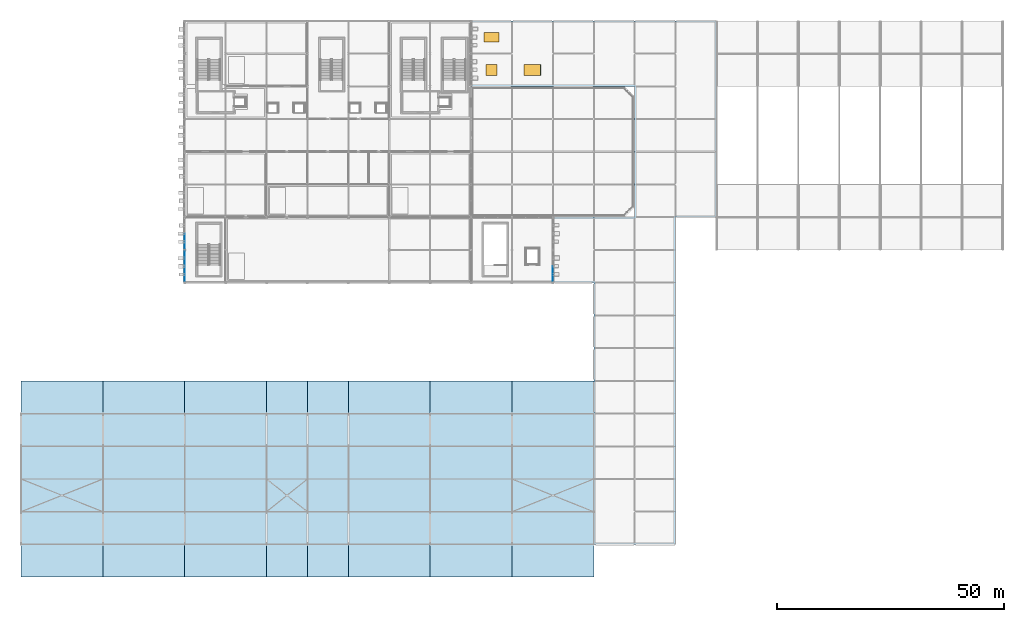
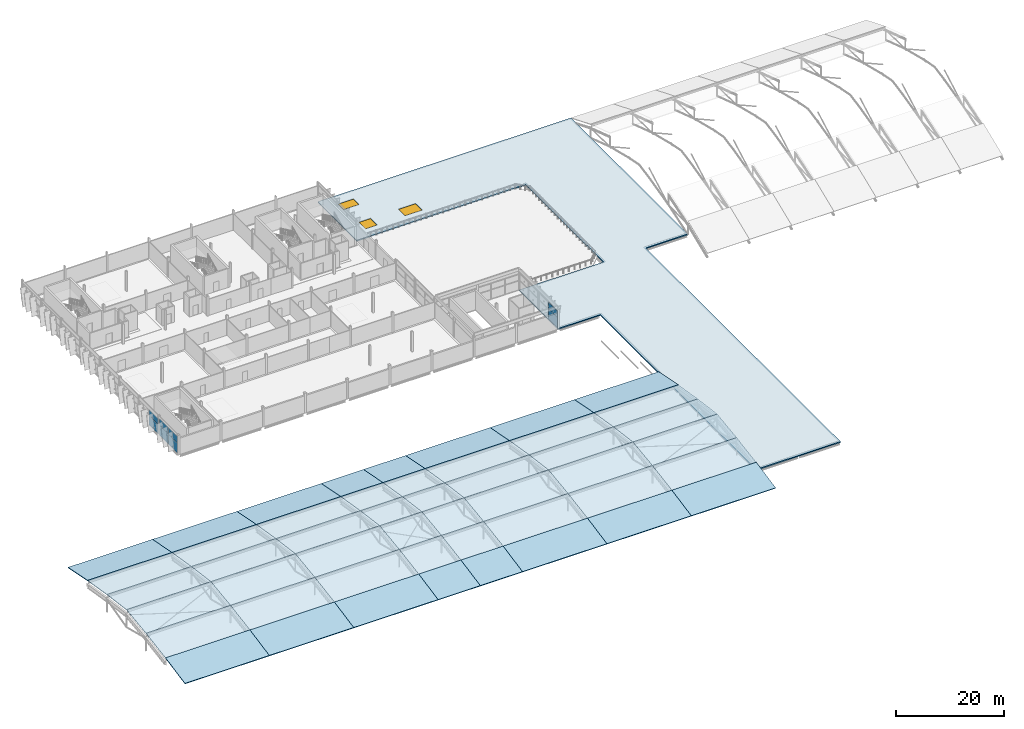
# One storey, part 54 of 78: 49 slabs, 8 plates, 3 windows, 3 openings, 3 elements without a shape of their own.
"""IFC4 building model written with IfcOpenShell, lengths in metres."""

from ifc_helpers import new_model, si_unit, direction, frame, origin, origin_2d, place, context, subcontext, project, spatial, polyline, rectangle, outline, extrude, material, layer, layer_set, type_object, element, fill, aggregate, save


model = new_model("IFC4")

# Units and contexts
model_context = context("Model", 3, precision=1e-05, world=origin(), true_north=direction((0.0, 1.0)))
body_context = subcontext(model_context, "Body", "Model", "MODEL_VIEW")
ifc_project = project(units=[si_unit("LENGTHUNIT", "METRE"), si_unit("AREAUNIT", "SQUARE_METRE"), si_unit("VOLUMEUNIT", "CUBIC_METRE"), si_unit("PLANEANGLEUNIT", "RADIAN"), si_unit("MASSUNIT", "GRAM", prefix="KILO")], contexts=[model_context])

# Site, building, storey
site_placement = place(None, origin())
site = spatial("IfcSite", under=ifc_project, at=site_placement, CompositionType="ELEMENT")
building_placement = place(site_placement, origin())
building = spatial("IfcBuilding", under=site, at=building_placement, Name="Celestram Park Convention Centre", CompositionType="ELEMENT")
storey_placement = place(building_placement, frame((0.0, 0.0, 19.800048828125)))
storey = spatial("IfcBuildingStorey", under=building, at=storey_placement, Name="L04", CompositionType="ELEMENT", Elevation=19.800048828125)

# Curtain wall, plates
ifc_material_1 = material(Name="Anodised Aluminium Alloy 6063-T6", Category="aluminium")
ifc_layer_1 = layer(ifc_material_1, 0.179931640625)
ifc_layer_set_1 = layer_set([ifc_layer_1], Name="Anodised Aluminium Alloy 6063-T6")
curtain_wall_type_1 = type_object("IfcCurtainWallType", Name="ARC-CW-683X390", PredefinedType="NOTDEFINED", material=ifc_layer_set_1)
curtain_wall_1_placement = place(storey_placement, origin())
curtain_wall_1 = element("IfcCurtainWall", 1, at=curtain_wall_1_placement, inside=storey, type_object=curtain_wall_type_1, Name="Unitised curtain wall CU-L04-228", PredefinedType="NOTDEFINED")
ifc_material_2 = material(Name="Insulated Glazing Unit 28 mm", Category="glass")
ifc_layer_2 = layer(ifc_material_2, 0.028076171875)
ifc_layer_set_2 = layer_set([ifc_layer_2], Name="Insulated Glazing Unit 28 mm")
plate_type = type_object("IfcPlateType", Name="ARC-CWP-IGU28", PredefinedType="CURTAIN_PANEL", material=ifc_layer_set_2)
plate_1_placement = place(storey_placement, frame((117.0, 109.920654296875, 0.06005859375), z_axis=(0.0, 0.0, 1.0), x_axis=(0.0, -1.0, 0.0)))
plate_1 = element("IfcPlate", 2, at=plate_1_placement, type_object=plate_type, Name="CW-68X39 panel 2.1", PredefinedType="CURTAIN_PANEL", context=body_context, shape_type="SweptSolid", body=[
    extrude(rectangle(XDim=3.3154296875, YDim=0.028076171875, at=origin_2d()), origin(), (0.0, 0.0, 1.0), 2.251953125),
])
plate_2_placement = place(storey_placement, frame((117.0, 109.920654296875, 2.3720703125), z_axis=(0.0, 0.0, 1.0), x_axis=(0.0, -1.0, 0.0)))
plate_2 = element("IfcPlate", 3, at=plate_2_placement, type_object=plate_type, Name="CW-68X39 panel 2.2", PredefinedType="CURTAIN_PANEL", context=body_context, shape_type="SweptSolid", body=[
    extrude(rectangle(XDim=3.3154296875, YDim=0.028076171875, at=origin_2d()), origin(), (0.0, 0.0, 1.0), 1.471923828125),
])
aggregate(curtain_wall_1, [plate_1, plate_2])

ifc_layer_3 = layer(ifc_material_1, 0.179931640625)
ifc_layer_set_3 = layer_set([ifc_layer_3], Name="Anodised Aluminium Alloy 6063-T6")
curtain_wall_type_2 = type_object("IfcCurtainWallType", Name="ARC-CW-682X390", PredefinedType="NOTDEFINED", material=ifc_layer_set_3)
curtain_wall_2_placement = place(storey_placement, origin())
curtain_wall_2 = element("IfcCurtainWall", 4, at=curtain_wall_2_placement, inside=storey, type_object=curtain_wall_type_2, Name="Unitised curtain wall CU-L04-229", PredefinedType="NOTDEFINED")
plate_3_placement = place(storey_placement, frame((36.0, 109.918701171875, 0.06005859375), z_axis=(0.0, 0.0, 1.0), x_axis=(0.0, 1.0, 0.0)))
plate_3 = element("IfcPlate", 5, at=plate_3_placement, type_object=plate_type, Name="CW-68X39 panel 1.1", PredefinedType="CURTAIN_PANEL", context=body_context, shape_type="SweptSolid", body=[
    extrude(rectangle(XDim=3.311279296875, YDim=0.028076171875, at=origin_2d()), origin(), (0.0, 0.0, 1.0), 2.251953125),
])
plate_4_placement = place(storey_placement, frame((36.0, 109.918701171875, 2.3720703125), z_axis=(0.0, 0.0, 1.0), x_axis=(0.0, 1.0, 0.0)))
plate_4 = element("IfcPlate", 6, at=plate_4_placement, type_object=plate_type, Name="CW-68X39 panel 1.2", PredefinedType="CURTAIN_PANEL", context=body_context, shape_type="SweptSolid", body=[
    extrude(rectangle(XDim=3.311279296875, YDim=0.028076171875, at=origin_2d()), origin(), (0.0, 0.0, 1.0), 1.471923828125),
])
plate_5_placement = place(storey_placement, frame((36.0, 113.294921875, 0.06005859375), z_axis=(0.0, 0.0, 1.0), x_axis=(0.0, 1.0, 0.0)))
plate_5 = element("IfcPlate", 7, at=plate_5_placement, type_object=plate_type, Name="CW-68X39 panel 2.1", PredefinedType="CURTAIN_PANEL", context=body_context, shape_type="SweptSolid", body=[
    extrude(rectangle(XDim=3.311279296875, YDim=0.028076171875, at=origin_2d()), origin(), (0.0, 0.0, 1.0), 2.251953125),
])
plate_6_placement = place(storey_placement, frame((36.0, 113.294921875, 2.3720703125), z_axis=(0.0, 0.0, 1.0), x_axis=(0.0, 1.0, 0.0)))
plate_6 = element("IfcPlate", 8, at=plate_6_placement, type_object=plate_type, Name="CW-68X39 panel 2.2", PredefinedType="CURTAIN_PANEL", context=body_context, shape_type="SweptSolid", body=[
    extrude(rectangle(XDim=3.311279296875, YDim=0.028076171875, at=origin_2d()), origin(), (0.0, 0.0, 1.0), 1.471923828125),
])
aggregate(curtain_wall_2, [plate_3, plate_4, plate_5, plate_6])

ifc_layer_4 = layer(ifc_material_1, 0.179931640625)
ifc_layer_set_4 = layer_set([ifc_layer_4], Name="Anodised Aluminium Alloy 6063-T6")
curtain_wall_type_3 = type_object("IfcCurtainWallType", Name="ARC-CW-683X365", PredefinedType="NOTDEFINED", material=ifc_layer_set_4)
curtain_wall_3_placement = place(storey_placement, origin())
curtain_wall_3 = element("IfcCurtainWall", 9, at=curtain_wall_3_placement, inside=storey, type_object=curtain_wall_type_3, Name="Unitised curtain wall CU-L04-230", PredefinedType="NOTDEFINED")
plate_7_placement = place(storey_placement, frame((36.0, 117.1083984375, 0.059814453125), z_axis=(0.0, 0.0, 1.0), x_axis=(0.0, 1.0, 0.0)))
plate_7 = element("IfcPlate", 10, at=plate_7_placement, type_object=plate_type, Name="CW-68X36 panel 1.1", PredefinedType="CURTAIN_PANEL", context=body_context, shape_type="SweptSolid", body=[
    extrude(rectangle(XDim=3.318115234375, YDim=0.028076171875, at=origin_2d()), origin(), (0.0, 0.0, 1.0), 2.09912109375),
])
plate_8_placement = place(storey_placement, frame((36.0, 117.1083984375, 2.21923828125), z_axis=(0.0, 0.0, 1.0), x_axis=(0.0, 1.0, 0.0)))
plate_8 = element("IfcPlate", 11, at=plate_8_placement, type_object=plate_type, Name="CW-68X36 panel 1.2", PredefinedType="CURTAIN_PANEL", context=body_context, shape_type="SweptSolid", body=[
    extrude(rectangle(XDim=3.318115234375, YDim=0.028076171875, at=origin_2d()), origin(), (0.0, 0.0, 1.0), 1.368896484375),
])
aggregate(curtain_wall_3, [plate_7, plate_8])

# Slabs
ifc_material_3 = material(Name="Concrete C35/45", Category="concrete")
ifc_layer_5 = layer(ifc_material_3, 0.159912109375)
ifc_layer_set_5 = layer_set([ifc_layer_5], Name="Concrete C35/45")
slab_type_1 = type_object("IfcSlabType", Name="STR-SLB-ARCH160", PredefinedType="ROOF", material=ifc_layer_set_5)
slab_1_placement = place(storey_placement, frame((0.0, 43.199951171875, 0.23486328125), z_axis=(0.0, -0.19329384228, 0.981140912681), x_axis=(1.0, 0.0, 0.0)))
element("IfcSlab", 12, at=slab_1_placement, inside=storey, type_object=slab_type_1, Name="V1 arched roof deck facet 1.4", PredefinedType="ROOF", context=body_context, shape_type="SweptSolid", body=[
    extrude(outline(polyline([(0.0, 0.0), (18.0, 0.0), (18.0, 7.33834567371194), (0.0, 7.33834567371194), (0.0, 0.0)])), origin(), (0.0, 0.0, -1.0), 0.159912109375),
])
slab_2_placement = place(storey_placement, frame((0.0, 50.39990234375, 1.6533203125), z_axis=(0.0, -0.162825488963, 0.986654884012), x_axis=(1.0, 0.0, 0.0)))
element("IfcSlab", 13, at=slab_2_placement, inside=storey, type_object=slab_type_1, Name="V1 arched roof deck facet 1.5", PredefinedType="ROOF", context=body_context, shape_type="SweptSolid", body=[
    extrude(outline(polyline([(0.0, 0.0), (18.0, 0.0), (18.0, 7.297582396009099), (0.0, 7.297582396009099), (0.0, 0.0)])), origin(), (0.0, 0.0, -1.0), 0.159912109375),
])
slab_3_placement = place(storey_placement, frame((0.0, 57.60009765625, 2.841552734375), z_axis=(0.0, -0.131954409552, 0.991255786263), x_axis=(1.0, 0.0, 0.0)))
element("IfcSlab", 14, at=slab_3_placement, inside=storey, type_object=slab_type_1, Name="V1 arched roof deck facet 1.6", PredefinedType="ROOF", context=body_context, shape_type="SweptSolid", body=[
    extrude(outline(polyline([(0.0, 0.0), (18.0, 0.0), (18.0, 7.25829227779338), (0.0, 7.25829227779338), (0.0, 0.0)])), origin(), (0.0, 0.0, -1.0), 0.159912109375),
])
slab_4_placement = place(storey_placement, frame((0.0, 64.804931640625, 3.79931640625), z_axis=(0.0, 0.131950010077, 0.991256371904), x_axis=(1.0, 0.0, 0.0)))
element("IfcSlab", 15, at=slab_4_placement, inside=storey, type_object=slab_type_1, Name="V1 arched roof deck facet 1.7", PredefinedType="ROOF", context=body_context, shape_type="SweptSolid", body=[
    extrude(outline(polyline([(0.0, 0.0), (18.0, 0.0), (18.0, 7.258534283672065), (0.0, 7.258534283672065), (0.0, 0.0)])), origin(), (0.0, 0.0, -1.0), 0.159912109375),
])
slab_5_placement = place(storey_placement, frame((0.0, 72.0, 2.841552734375), z_axis=(0.0, 0.162830863769, 0.986653997004), x_axis=(1.0, 0.0, 0.0)))
element("IfcSlab", 16, at=slab_5_placement, inside=storey, type_object=slab_type_1, Name="V1 arched roof deck facet 1.8", PredefinedType="ROOF", context=body_context, shape_type="SweptSolid", body=[
    extrude(outline(polyline([(0.0, 0.0), (18.0, 0.0), (18.0, 7.297341513577334), (0.0, 7.297341513577334), (0.0, 0.0)])), origin(), (0.0, 0.0, -1.0), 0.159912109375),
])
for number, where, z_axis, x_axis, name in (
    (17, (0.0, 79.199951171875, 1.6533203125), (0.0, 0.19329384228, 0.981140912681), (1.0, 0.0, 0.0), "V1 arched roof deck facet 1.9"),
    (18, (18.0, 43.199951171875, 0.23486328125), (0.0, -0.19329384228, 0.981140912681), (1.0, 0.0, 0.0), "V1 arched roof deck facet 2.4"),
):
    element("IfcSlab", number, at=place(storey_placement, frame(where, z_axis=z_axis, x_axis=x_axis)), inside=storey, type_object=slab_type_1, Name=name, PredefinedType="ROOF", context=body_context, shape_type="SweptSolid", body=[
        extrude(outline(polyline([(0.0, 0.0), (18.0, 0.0), (18.0, 7.33834567371194), (0.0, 7.33834567371194), (0.0, 0.0)])), origin(), (0.0, 0.0, -1.0), 0.159912109375),
    ])
slab_6_placement = place(storey_placement, frame((18.0, 50.39990234375, 1.6533203125), z_axis=(0.0, -0.162825488963, 0.986654884012), x_axis=(1.0, 0.0, 0.0)))
element("IfcSlab", 19, at=slab_6_placement, inside=storey, type_object=slab_type_1, Name="V1 arched roof deck facet 2.5", PredefinedType="ROOF", context=body_context, shape_type="SweptSolid", body=[
    extrude(outline(polyline([(0.0, 0.0), (18.0, 0.0), (18.0, 7.297582396009099), (0.0, 7.297582396009099), (0.0, 0.0)])), origin(), (0.0, 0.0, -1.0), 0.159912109375),
])
slab_7_placement = place(storey_placement, frame((18.0, 57.60009765625, 2.841552734375), z_axis=(0.0, -0.131954409552, 0.991255786263), x_axis=(1.0, 0.0, 0.0)))
element("IfcSlab", 20, at=slab_7_placement, inside=storey, type_object=slab_type_1, Name="V1 arched roof deck facet 2.6", PredefinedType="ROOF", context=body_context, shape_type="SweptSolid", body=[
    extrude(outline(polyline([(0.0, 0.0), (18.0, 0.0), (18.0, 7.25829227779338), (0.0, 7.25829227779338), (0.0, 0.0)])), origin(), (0.0, 0.0, -1.0), 0.159912109375),
])
slab_8_placement = place(storey_placement, frame((18.0, 64.804931640625, 3.79931640625), z_axis=(0.0, 0.131950010077, 0.991256371904), x_axis=(1.0, 0.0, 0.0)))
element("IfcSlab", 21, at=slab_8_placement, inside=storey, type_object=slab_type_1, Name="V1 arched roof deck facet 2.7", PredefinedType="ROOF", context=body_context, shape_type="SweptSolid", body=[
    extrude(outline(polyline([(0.0, 0.0), (18.0, 0.0), (18.0, 7.258534283672065), (0.0, 7.258534283672065), (0.0, 0.0)])), origin(), (0.0, 0.0, -1.0), 0.159912109375),
])
slab_9_placement = place(storey_placement, frame((18.0, 72.0, 2.841552734375), z_axis=(0.0, 0.162830863769, 0.986653997004), x_axis=(1.0, 0.0, 0.0)))
element("IfcSlab", 22, at=slab_9_placement, inside=storey, type_object=slab_type_1, Name="V1 arched roof deck facet 2.8", PredefinedType="ROOF", context=body_context, shape_type="SweptSolid", body=[
    extrude(outline(polyline([(0.0, 0.0), (18.0, 0.0), (18.0, 7.297341513577334), (0.0, 7.297341513577334), (0.0, 0.0)])), origin(), (0.0, 0.0, -1.0), 0.159912109375),
])
for number, where, z_axis, x_axis, name in (
    (23, (18.0, 79.199951171875, 1.6533203125), (0.0, 0.19329384228, 0.981140912681), (1.0, 0.0, 0.0), "V1 arched roof deck facet 2.9"),
    (24, (36.0, 43.199951171875, 0.23486328125), (0.0, -0.19329384228, 0.981140912681), (1.0, 0.0, 0.0), "V1 arched roof deck facet 3.4"),
):
    element("IfcSlab", number, at=place(storey_placement, frame(where, z_axis=z_axis, x_axis=x_axis)), inside=storey, type_object=slab_type_1, Name=name, PredefinedType="ROOF", context=body_context, shape_type="SweptSolid", body=[
        extrude(outline(polyline([(0.0, 0.0), (18.0, 0.0), (18.0, 7.33834567371194), (0.0, 7.33834567371194), (0.0, 0.0)])), origin(), (0.0, 0.0, -1.0), 0.159912109375),
    ])
slab_10_placement = place(storey_placement, frame((36.0, 50.39990234375, 1.6533203125), z_axis=(0.0, -0.162825488963, 0.986654884012), x_axis=(1.0, 0.0, 0.0)))
element("IfcSlab", 25, at=slab_10_placement, inside=storey, type_object=slab_type_1, Name="V1 arched roof deck facet 3.5", PredefinedType="ROOF", context=body_context, shape_type="SweptSolid", body=[
    extrude(outline(polyline([(0.0, 0.0), (18.0, 0.0), (18.0, 7.297582396009099), (0.0, 7.297582396009099), (0.0, 0.0)])), origin(), (0.0, 0.0, -1.0), 0.159912109375),
])
slab_11_placement = place(storey_placement, frame((36.0, 57.60009765625, 2.841552734375), z_axis=(0.0, -0.131954409552, 0.991255786263), x_axis=(1.0, 0.0, 0.0)))
element("IfcSlab", 26, at=slab_11_placement, inside=storey, type_object=slab_type_1, Name="V1 arched roof deck facet 3.6", PredefinedType="ROOF", context=body_context, shape_type="SweptSolid", body=[
    extrude(outline(polyline([(0.0, 0.0), (18.0, 0.0), (18.0, 7.25829227779338), (0.0, 7.25829227779338), (0.0, 0.0)])), origin(), (0.0, 0.0, -1.0), 0.159912109375),
])
slab_12_placement = place(storey_placement, frame((36.0, 64.804931640625, 3.79931640625), z_axis=(0.0, 0.131950010077, 0.991256371904), x_axis=(1.0, 0.0, 0.0)))
element("IfcSlab", 27, at=slab_12_placement, inside=storey, type_object=slab_type_1, Name="V1 arched roof deck facet 3.7", PredefinedType="ROOF", context=body_context, shape_type="SweptSolid", body=[
    extrude(outline(polyline([(0.0, 0.0), (18.0, 0.0), (18.0, 7.258534283672065), (0.0, 7.258534283672065), (0.0, 0.0)])), origin(), (0.0, 0.0, -1.0), 0.159912109375),
])
slab_13_placement = place(storey_placement, frame((36.0, 72.0, 2.841552734375), z_axis=(0.0, 0.162830863769, 0.986653997004), x_axis=(1.0, 0.0, 0.0)))
element("IfcSlab", 28, at=slab_13_placement, inside=storey, type_object=slab_type_1, Name="V1 arched roof deck facet 3.8", PredefinedType="ROOF", context=body_context, shape_type="SweptSolid", body=[
    extrude(outline(polyline([(0.0, 0.0), (18.0, 0.0), (18.0, 7.297341513577334), (0.0, 7.297341513577334), (0.0, 0.0)])), origin(), (0.0, 0.0, -1.0), 0.159912109375),
])
slab_14_placement = place(storey_placement, frame((36.0, 79.199951171875, 1.6533203125), z_axis=(0.0, 0.19329384228, 0.981140912681), x_axis=(1.0, 0.0, 0.0)))
element("IfcSlab", 29, at=slab_14_placement, inside=storey, type_object=slab_type_1, Name="V1 arched roof deck facet 3.9", PredefinedType="ROOF", context=body_context, shape_type="SweptSolid", body=[
    extrude(outline(polyline([(0.0, 0.0), (18.0, 0.0), (18.0, 7.33834567371194), (0.0, 7.33834567371194), (0.0, 0.0)])), origin(), (0.0, 0.0, -1.0), 0.159912109375),
])
slab_15_placement = place(storey_placement, frame((54.0, 43.199951171875, 0.23486328125), z_axis=(0.0, -0.19329384228, 0.981140912681), x_axis=(1.0, 0.0, 0.0)))
element("IfcSlab", 30, at=slab_15_placement, inside=storey, type_object=slab_type_1, Name="V1 arched roof deck facet 4.4", PredefinedType="ROOF", context=body_context, shape_type="SweptSolid", body=[
    extrude(outline(polyline([(0.0, 0.0), (9.0, 0.0), (9.0, 7.33834567371194), (0.0, 7.33834567371194), (0.0, 0.0)])), origin(), (0.0, 0.0, -1.0), 0.159912109375),
])
slab_16_placement = place(storey_placement, frame((54.0, 50.39990234375, 1.6533203125), z_axis=(0.0, -0.162825488963, 0.986654884012), x_axis=(1.0, 0.0, 0.0)))
element("IfcSlab", 31, at=slab_16_placement, inside=storey, type_object=slab_type_1, Name="V1 arched roof deck facet 4.5", PredefinedType="ROOF", context=body_context, shape_type="SweptSolid", body=[
    extrude(outline(polyline([(0.0, 0.0), (9.0, 0.0), (9.0, 7.297582396009099), (0.0, 7.297582396009099), (0.0, 0.0)])), origin(), (0.0, 0.0, -1.0), 0.159912109375),
])
slab_17_placement = place(storey_placement, frame((54.0, 57.60009765625, 2.841552734375), z_axis=(0.0, -0.131954409552, 0.991255786263), x_axis=(1.0, 0.0, 0.0)))
element("IfcSlab", 32, at=slab_17_placement, inside=storey, type_object=slab_type_1, Name="V1 arched roof deck facet 4.6", PredefinedType="ROOF", context=body_context, shape_type="SweptSolid", body=[
    extrude(outline(polyline([(0.0, 0.0), (9.0, 0.0), (9.0, 7.25829227779338), (0.0, 7.25829227779338), (0.0, 0.0)])), origin(), (0.0, 0.0, -1.0), 0.159912109375),
])
slab_18_placement = place(storey_placement, frame((54.0, 64.804931640625, 3.79931640625), z_axis=(0.0, 0.131950010077, 0.991256371904), x_axis=(1.0, 0.0, 0.0)))
element("IfcSlab", 33, at=slab_18_placement, inside=storey, type_object=slab_type_1, Name="V1 arched roof deck facet 4.7", PredefinedType="ROOF", context=body_context, shape_type="SweptSolid", body=[
    extrude(outline(polyline([(0.0, 0.0), (9.0, 0.0), (9.0, 7.258534283672065), (0.0, 7.258534283672065), (0.0, 0.0)])), origin(), (0.0, 0.0, -1.0), 0.159912109375),
])
slab_19_placement = place(storey_placement, frame((54.0, 72.0, 2.841552734375), z_axis=(0.0, 0.162830863769, 0.986653997004), x_axis=(1.0, 0.0, 0.0)))
element("IfcSlab", 34, at=slab_19_placement, inside=storey, type_object=slab_type_1, Name="V1 arched roof deck facet 4.8", PredefinedType="ROOF", context=body_context, shape_type="SweptSolid", body=[
    extrude(outline(polyline([(0.0, 0.0), (9.0, 0.0), (9.0, 7.297341513577334), (0.0, 7.297341513577334), (0.0, 0.0)])), origin(), (0.0, 0.0, -1.0), 0.159912109375),
])
for number, where, z_axis, x_axis, name in (
    (35, (54.0, 79.199951171875, 1.6533203125), (0.0, 0.19329384228, 0.981140912681), (1.0, 0.0, 0.0), "V1 arched roof deck facet 4.9"),
    (36, (63.0, 43.199951171875, 0.23486328125), (0.0, -0.19329384228, 0.981140912681), (1.0, 0.0, 0.0), "V1 arched roof deck facet 5.4"),
):
    element("IfcSlab", number, at=place(storey_placement, frame(where, z_axis=z_axis, x_axis=x_axis)), inside=storey, type_object=slab_type_1, Name=name, PredefinedType="ROOF", context=body_context, shape_type="SweptSolid", body=[
        extrude(outline(polyline([(0.0, 0.0), (9.0, 0.0), (9.0, 7.33834567371194), (0.0, 7.33834567371194), (0.0, 0.0)])), origin(), (0.0, 0.0, -1.0), 0.159912109375),
    ])
slab_20_placement = place(storey_placement, frame((63.0, 50.39990234375, 1.6533203125), z_axis=(0.0, -0.162825488963, 0.986654884012), x_axis=(1.0, 0.0, 0.0)))
element("IfcSlab", 37, at=slab_20_placement, inside=storey, type_object=slab_type_1, Name="V1 arched roof deck facet 5.5", PredefinedType="ROOF", context=body_context, shape_type="SweptSolid", body=[
    extrude(outline(polyline([(0.0, 0.0), (9.0, 0.0), (9.0, 7.297582396009099), (0.0, 7.297582396009099), (0.0, 0.0)])), origin(), (0.0, 0.0, -1.0), 0.159912109375),
])
slab_21_placement = place(storey_placement, frame((63.0, 57.60009765625, 2.841552734375), z_axis=(0.0, -0.131954409552, 0.991255786263), x_axis=(1.0, 0.0, 0.0)))
element("IfcSlab", 38, at=slab_21_placement, inside=storey, type_object=slab_type_1, Name="V1 arched roof deck facet 5.6", PredefinedType="ROOF", context=body_context, shape_type="SweptSolid", body=[
    extrude(outline(polyline([(0.0, 0.0), (9.0, 0.0), (9.0, 7.25829227779338), (0.0, 7.25829227779338), (0.0, 0.0)])), origin(), (0.0, 0.0, -1.0), 0.159912109375),
])
slab_22_placement = place(storey_placement, frame((63.0, 64.804931640625, 3.79931640625), z_axis=(0.0, 0.131950010077, 0.991256371904), x_axis=(1.0, 0.0, 0.0)))
element("IfcSlab", 39, at=slab_22_placement, inside=storey, type_object=slab_type_1, Name="V1 arched roof deck facet 5.7", PredefinedType="ROOF", context=body_context, shape_type="SweptSolid", body=[
    extrude(outline(polyline([(0.0, 0.0), (9.0, 0.0), (9.0, 7.258534283672065), (0.0, 7.258534283672065), (0.0, 0.0)])), origin(), (0.0, 0.0, -1.0), 0.159912109375),
])
slab_23_placement = place(storey_placement, frame((63.0, 72.0, 2.841552734375), z_axis=(0.0, 0.162830863769, 0.986653997004), x_axis=(1.0, 0.0, 0.0)))
element("IfcSlab", 40, at=slab_23_placement, inside=storey, type_object=slab_type_1, Name="V1 arched roof deck facet 5.8", PredefinedType="ROOF", context=body_context, shape_type="SweptSolid", body=[
    extrude(outline(polyline([(0.0, 0.0), (9.0, 0.0), (9.0, 7.297341513577334), (0.0, 7.297341513577334), (0.0, 0.0)])), origin(), (0.0, 0.0, -1.0), 0.159912109375),
])
slab_24_placement = place(storey_placement, frame((63.0, 79.199951171875, 1.6533203125), z_axis=(0.0, 0.19329384228, 0.981140912681), x_axis=(1.0, 0.0, 0.0)))
element("IfcSlab", 41, at=slab_24_placement, inside=storey, type_object=slab_type_1, Name="V1 arched roof deck facet 5.9", PredefinedType="ROOF", context=body_context, shape_type="SweptSolid", body=[
    extrude(outline(polyline([(0.0, 0.0), (9.0, 0.0), (9.0, 7.33834567371194), (0.0, 7.33834567371194), (0.0, 0.0)])), origin(), (0.0, 0.0, -1.0), 0.159912109375),
])
slab_25_placement = place(storey_placement, frame((72.0, 43.199951171875, 0.23486328125), z_axis=(0.0, -0.19329384228, 0.981140912681), x_axis=(1.0, 0.0, 0.0)))
element("IfcSlab", 42, at=slab_25_placement, inside=storey, type_object=slab_type_1, Name="V1 arched roof deck facet 6.4", PredefinedType="ROOF", context=body_context, shape_type="SweptSolid", body=[
    extrude(outline(polyline([(0.0, 0.0), (18.0, 0.0), (18.0, 7.33834567371194), (0.0, 7.33834567371194), (0.0, 0.0)])), origin(), (0.0, 0.0, -1.0), 0.159912109375),
])
slab_26_placement = place(storey_placement, frame((72.0, 50.39990234375, 1.6533203125), z_axis=(0.0, -0.162825488963, 0.986654884012), x_axis=(1.0, 0.0, 0.0)))
element("IfcSlab", 43, at=slab_26_placement, inside=storey, type_object=slab_type_1, Name="V1 arched roof deck facet 6.5", PredefinedType="ROOF", context=body_context, shape_type="SweptSolid", body=[
    extrude(outline(polyline([(0.0, 0.0), (18.0, 0.0), (18.0, 7.297582396009099), (0.0, 7.297582396009099), (0.0, 0.0)])), origin(), (0.0, 0.0, -1.0), 0.159912109375),
])
slab_27_placement = place(storey_placement, frame((72.0, 57.60009765625, 2.841552734375), z_axis=(0.0, -0.131954409552, 0.991255786263), x_axis=(1.0, 0.0, 0.0)))
element("IfcSlab", 44, at=slab_27_placement, inside=storey, type_object=slab_type_1, Name="V1 arched roof deck facet 6.6", PredefinedType="ROOF", context=body_context, shape_type="SweptSolid", body=[
    extrude(outline(polyline([(0.0, 0.0), (18.0, 0.0), (18.0, 7.25829227779338), (0.0, 7.25829227779338), (0.0, 0.0)])), origin(), (0.0, 0.0, -1.0), 0.159912109375),
])
slab_28_placement = place(storey_placement, frame((72.0, 64.804931640625, 3.79931640625), z_axis=(0.0, 0.131950010077, 0.991256371904), x_axis=(1.0, 0.0, 0.0)))
element("IfcSlab", 45, at=slab_28_placement, inside=storey, type_object=slab_type_1, Name="V1 arched roof deck facet 6.7", PredefinedType="ROOF", context=body_context, shape_type="SweptSolid", body=[
    extrude(outline(polyline([(0.0, 0.0), (18.0, 0.0), (18.0, 7.258534283672065), (0.0, 7.258534283672065), (0.0, 0.0)])), origin(), (0.0, 0.0, -1.0), 0.159912109375),
])
slab_29_placement = place(storey_placement, frame((72.0, 72.0, 2.841552734375), z_axis=(0.0, 0.162830863769, 0.986653997004), x_axis=(1.0, 0.0, 0.0)))
element("IfcSlab", 46, at=slab_29_placement, inside=storey, type_object=slab_type_1, Name="V1 arched roof deck facet 6.8", PredefinedType="ROOF", context=body_context, shape_type="SweptSolid", body=[
    extrude(outline(polyline([(0.0, 0.0), (18.0, 0.0), (18.0, 7.297341513577334), (0.0, 7.297341513577334), (0.0, 0.0)])), origin(), (0.0, 0.0, -1.0), 0.159912109375),
])
for number, where, z_axis, x_axis, name in (
    (47, (72.0, 79.199951171875, 1.6533203125), (0.0, 0.19329384228, 0.981140912681), (1.0, 0.0, 0.0), "V1 arched roof deck facet 6.9"),
    (48, (90.0, 43.199951171875, 0.23486328125), (0.0, -0.19329384228, 0.981140912681), (1.0, 0.0, 0.0), "V1 arched roof deck facet 7.4"),
):
    element("IfcSlab", number, at=place(storey_placement, frame(where, z_axis=z_axis, x_axis=x_axis)), inside=storey, type_object=slab_type_1, Name=name, PredefinedType="ROOF", context=body_context, shape_type="SweptSolid", body=[
        extrude(outline(polyline([(0.0, 0.0), (18.0, 0.0), (18.0, 7.33834567371194), (0.0, 7.33834567371194), (0.0, 0.0)])), origin(), (0.0, 0.0, -1.0), 0.159912109375),
    ])
slab_30_placement = place(storey_placement, frame((90.0, 50.39990234375, 1.6533203125), z_axis=(0.0, -0.162825488963, 0.986654884012), x_axis=(1.0, 0.0, 0.0)))
element("IfcSlab", 49, at=slab_30_placement, inside=storey, type_object=slab_type_1, Name="V1 arched roof deck facet 7.5", PredefinedType="ROOF", context=body_context, shape_type="SweptSolid", body=[
    extrude(outline(polyline([(0.0, 0.0), (18.0, 0.0), (18.0, 7.297582396009099), (0.0, 7.297582396009099), (0.0, 0.0)])), origin(), (0.0, 0.0, -1.0), 0.159912109375),
])
slab_31_placement = place(storey_placement, frame((90.0, 57.60009765625, 2.841552734375), z_axis=(0.0, -0.131954409552, 0.991255786263), x_axis=(1.0, 0.0, 0.0)))
element("IfcSlab", 50, at=slab_31_placement, inside=storey, type_object=slab_type_1, Name="V1 arched roof deck facet 7.6", PredefinedType="ROOF", context=body_context, shape_type="SweptSolid", body=[
    extrude(outline(polyline([(0.0, 0.0), (18.0, 0.0), (18.0, 7.25829227779338), (0.0, 7.25829227779338), (0.0, 0.0)])), origin(), (0.0, 0.0, -1.0), 0.159912109375),
])
slab_32_placement = place(storey_placement, frame((90.0, 64.804931640625, 3.79931640625), z_axis=(0.0, 0.131950010077, 0.991256371904), x_axis=(1.0, 0.0, 0.0)))
element("IfcSlab", 51, at=slab_32_placement, inside=storey, type_object=slab_type_1, Name="V1 arched roof deck facet 7.7", PredefinedType="ROOF", context=body_context, shape_type="SweptSolid", body=[
    extrude(outline(polyline([(0.0, 0.0), (18.0, 0.0), (18.0, 7.258534283672065), (0.0, 7.258534283672065), (0.0, 0.0)])), origin(), (0.0, 0.0, -1.0), 0.159912109375),
])
slab_33_placement = place(storey_placement, frame((90.0, 72.0, 2.841552734375), z_axis=(0.0, 0.162830863769, 0.986653997004), x_axis=(1.0, 0.0, 0.0)))
element("IfcSlab", 52, at=slab_33_placement, inside=storey, type_object=slab_type_1, Name="V1 arched roof deck facet 7.8", PredefinedType="ROOF", context=body_context, shape_type="SweptSolid", body=[
    extrude(outline(polyline([(0.0, 0.0), (18.0, 0.0), (18.0, 7.297341513577334), (0.0, 7.297341513577334), (0.0, 0.0)])), origin(), (0.0, 0.0, -1.0), 0.159912109375),
])
for number, where, z_axis, x_axis, name in (
    (53, (90.0, 79.199951171875, 1.6533203125), (0.0, 0.19329384228, 0.981140912681), (1.0, 0.0, 0.0), "V1 arched roof deck facet 7.9"),
    (54, (108.0, 43.199951171875, 0.23486328125), (0.0, -0.19329384228, 0.981140912681), (1.0, 0.0, 0.0), "V1 arched roof deck facet 8.4"),
):
    element("IfcSlab", number, at=place(storey_placement, frame(where, z_axis=z_axis, x_axis=x_axis)), inside=storey, type_object=slab_type_1, Name=name, PredefinedType="ROOF", context=body_context, shape_type="SweptSolid", body=[
        extrude(outline(polyline([(0.0, 0.0), (18.0, 0.0), (18.0, 7.33834567371194), (0.0, 7.33834567371194), (0.0, 0.0)])), origin(), (0.0, 0.0, -1.0), 0.159912109375),
    ])
slab_34_placement = place(storey_placement, frame((108.0, 50.39990234375, 1.6533203125), z_axis=(0.0, -0.162825488963, 0.986654884012), x_axis=(1.0, 0.0, 0.0)))
element("IfcSlab", 55, at=slab_34_placement, inside=storey, type_object=slab_type_1, Name="V1 arched roof deck facet 8.5", PredefinedType="ROOF", context=body_context, shape_type="SweptSolid", body=[
    extrude(outline(polyline([(0.0, 0.0), (18.0, 0.0), (18.0, 7.297582396009099), (0.0, 7.297582396009099), (0.0, 0.0)])), origin(), (0.0, 0.0, -1.0), 0.159912109375),
])
slab_35_placement = place(storey_placement, frame((108.0, 57.60009765625, 2.841552734375), z_axis=(0.0, -0.131954409552, 0.991255786263), x_axis=(1.0, 0.0, 0.0)))
element("IfcSlab", 56, at=slab_35_placement, inside=storey, type_object=slab_type_1, Name="V1 arched roof deck facet 8.6", PredefinedType="ROOF", context=body_context, shape_type="SweptSolid", body=[
    extrude(outline(polyline([(0.0, 0.0), (18.0, 0.0), (18.0, 7.25829227779338), (0.0, 7.25829227779338), (0.0, 0.0)])), origin(), (0.0, 0.0, -1.0), 0.159912109375),
])
slab_36_placement = place(storey_placement, frame((108.0, 64.804931640625, 3.79931640625), z_axis=(0.0, 0.131950010077, 0.991256371904), x_axis=(1.0, 0.0, 0.0)))
element("IfcSlab", 57, at=slab_36_placement, inside=storey, type_object=slab_type_1, Name="V1 arched roof deck facet 8.7", PredefinedType="ROOF", context=body_context, shape_type="SweptSolid", body=[
    extrude(outline(polyline([(0.0, 0.0), (18.0, 0.0), (18.0, 7.258534283672065), (0.0, 7.258534283672065), (0.0, 0.0)])), origin(), (0.0, 0.0, -1.0), 0.159912109375),
])
slab_37_placement = place(storey_placement, frame((108.0, 72.0, 2.841552734375), z_axis=(0.0, 0.162830863769, 0.986653997004), x_axis=(1.0, 0.0, 0.0)))
element("IfcSlab", 58, at=slab_37_placement, inside=storey, type_object=slab_type_1, Name="V1 arched roof deck facet 8.8", PredefinedType="ROOF", context=body_context, shape_type="SweptSolid", body=[
    extrude(outline(polyline([(0.0, 0.0), (18.0, 0.0), (18.0, 7.297341513577334), (0.0, 7.297341513577334), (0.0, 0.0)])), origin(), (0.0, 0.0, -1.0), 0.159912109375),
])
slab_38_placement = place(storey_placement, frame((108.0, 79.199951171875, 1.6533203125), z_axis=(0.0, 0.19329384228, 0.981140912681), x_axis=(1.0, 0.0, 0.0)))
element("IfcSlab", 59, at=slab_38_placement, inside=storey, type_object=slab_type_1, Name="V1 arched roof deck facet 8.9", PredefinedType="ROOF", context=body_context, shape_type="SweptSolid", body=[
    extrude(outline(polyline([(0.0, 0.0), (18.0, 0.0), (18.0, 7.33834567371194), (0.0, 7.33834567371194), (0.0, 0.0)])), origin(), (0.0, 0.0, -1.0), 0.159912109375),
])

# Slab, openings, windows
ifc_layer_6 = layer(ifc_material_3, 0.239990234375)
ifc_layer_set_6 = layer_set([ifc_layer_6], Name="Concrete C35/45")
slab_type_2 = type_object("IfcSlabType", Name="STR-SLB-ROOF240", PredefinedType="ROOF", material=ifc_layer_set_6)
slab_39_placement = place(storey_placement, frame((0.0, 0.0, -0.239990234375)))
slab_39 = element("IfcSlab", 60, at=slab_39_placement, inside=storey, type_object=slab_type_2, Name="Insulated flat roof deck SL-L04-RF041", PredefinedType="ROOF", context=body_context, shape_type="SweptSolid", body=[
    extrude(outline(polyline([(126.0, 108.0), (117.0, 108.0), (117.0, 122.39990234375), (135.0, 122.39990234375), (135.0, 151.199951171875), (99.0, 151.199951171875), (99.0, 165.60009765625), (153.0, 165.60009765625), (153.0, 122.39990234375), (144.0, 122.39990234375), (144.0, 50.39990234375), (126.0, 50.39990234375), (126.0, 108.0)])), origin(), (0.0, 0.0, 1.0), 0.239990234375),
])
opening_1_placement = place(slab_39_placement, frame((103.5, 154.800048828125, -0.010009765625)))
opening_1 = element("IfcOpeningElement", 61, at=opening_1_placement, cuts=slab_39, Name="Opening SK-03", PredefinedType="OPENING", context=body_context, shape_type="SweptSolid", body=[
    extrude(rectangle(XDim=2.39990234375, YDim=2.39990234375, at=origin_2d()), origin(), (0.0, 0.0, 1.0), 0.260009765625),
])
opening_2_placement = place(slab_39_placement, frame((103.5, 162.0, -0.010009765625)))
opening_2 = element("IfcOpeningElement", 62, at=opening_2_placement, cuts=slab_39, Name="Opening SK-04", PredefinedType="OPENING", context=body_context, shape_type="SweptSolid", body=[
    extrude(rectangle(XDim=3.199951171875, YDim=2.0, at=origin_2d()), origin(), (0.0, 0.0, 1.0), 0.260009765625),
])
opening_3_placement = place(slab_39_placement, frame((112.5, 154.800048828125, -0.010009765625)))
opening_3 = element("IfcOpeningElement", 63, at=opening_3_placement, cuts=slab_39, Name="Opening SK-01", PredefinedType="OPENING", context=body_context, shape_type="SweptSolid", body=[
    extrude(rectangle(XDim=3.60009765625, YDim=2.39990234375, at=origin_2d()), origin(), (0.0, 0.0, 1.0), 0.260009765625),
])
ifc_material_4 = material(Name="Thermally Broken Aluminium & Triple Glazing", Category="aluminium")
window_type_1 = type_object("IfcWindowType", Name="ARC-SK-240X240", PartitioningType="SINGLE_PANEL", PredefinedType="SKYLIGHT", material=ifc_material_4)
window_1_placement = place(opening_1_placement, frame((0.0, 0.0, 0.199951171875)))
window_1 = element("IfcWindow", 64, at=window_1_placement, inside=storey, type_object=window_type_1, Name="Insulated roof skylight SK-L04-07", OverallHeight=2.39990234375, OverallWidth=2.39990234375, PartitioningType="SINGLE_PANEL", PredefinedType="SKYLIGHT", context=body_context, shape_type="SweptSolid", body=[
    extrude(rectangle(XDim=2.39990234375, YDim=2.39990234375, at=origin_2d()), origin(), (0.0, 0.0, 1.0), 0.050048828125),
])
fill(opening_1, window_1)
window_type_2 = type_object("IfcWindowType", Name="ARC-SK-320X200", PartitioningType="SINGLE_PANEL", PredefinedType="SKYLIGHT", material=ifc_material_4)
window_2_placement = place(opening_2_placement, frame((0.0, 0.0, 0.199951171875)))
window_2 = element("IfcWindow", 65, at=window_2_placement, inside=storey, type_object=window_type_2, Name="Insulated roof skylight SK-L04-08", OverallHeight=2.0, OverallWidth=3.199951171875, PartitioningType="SINGLE_PANEL", PredefinedType="SKYLIGHT", context=body_context, shape_type="SweptSolid", body=[
    extrude(rectangle(XDim=3.199951171875, YDim=2.0, at=origin_2d()), origin(), (0.0, 0.0, 1.0), 0.050048828125),
])
fill(opening_2, window_2)
window_type_3 = type_object("IfcWindowType", Name="ARC-SK-360X240", PartitioningType="SINGLE_PANEL", PredefinedType="SKYLIGHT", material=ifc_material_4)
window_3_placement = place(opening_3_placement, frame((0.0, 0.0, 0.199951171875)))
window_3 = element("IfcWindow", 66, at=window_3_placement, inside=storey, type_object=window_type_3, Name="Insulated roof skylight SK-L04-09", OverallHeight=2.39990234375, OverallWidth=3.60009765625, PartitioningType="SINGLE_PANEL", PredefinedType="SKYLIGHT", context=body_context, shape_type="SweptSolid", body=[
    extrude(rectangle(XDim=3.60009765625, YDim=2.39990234375, at=origin_2d()), origin(), (0.0, 0.0, 1.0), 0.050048828125),
])
fill(opening_3, window_3)

save(model, "model.ifc")
